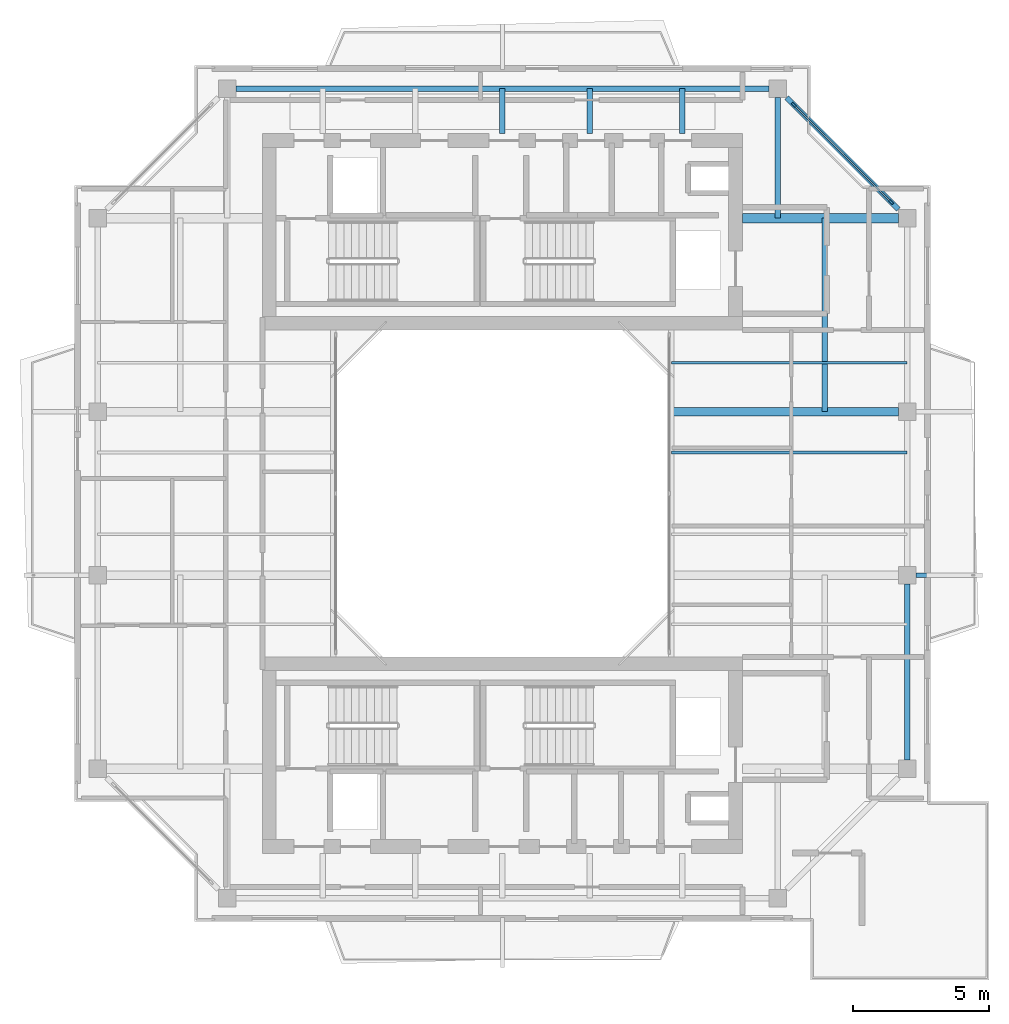
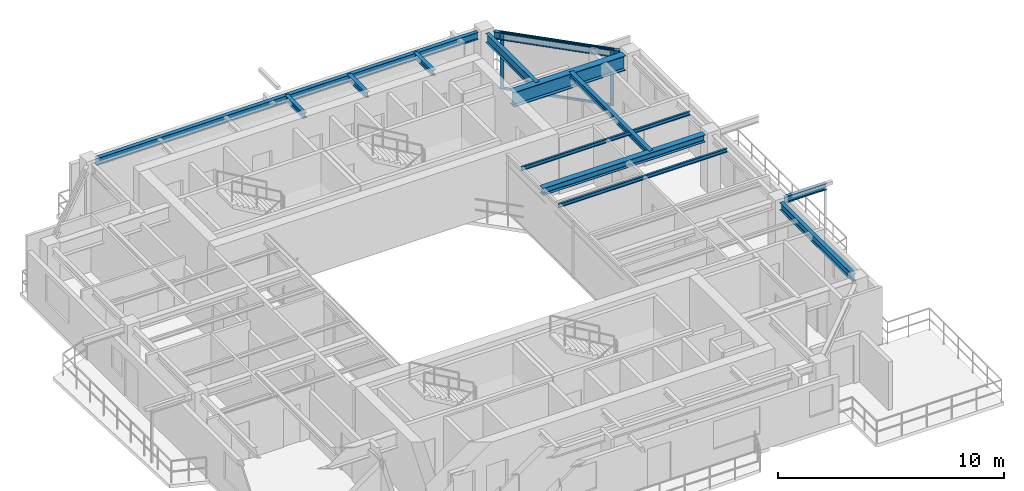
# One storey, part 6 of 14: 13 beams, 4 members, 1 element without a shape of its own.
"""IFC4 building model written with IfcOpenShell, lengths in metres."""

from ifc_helpers import new_model, si_unit, direction, frame, origin, origin_2d, place, context, subcontext, project, spatial, rectangle, i_section, extrude, source, transform, mapped, material, layer, layer_set, material_profile, profile_set, type_object, element, aggregate, save


model = new_model("IFC4")

# Units and contexts
model_context = context("Model", 3, precision=1e-05, world=origin(), true_north=direction((0.0, 1.0)))
body_context = subcontext(model_context, "Body", "Model", "MODEL_VIEW")
ifc_project = project(units=[si_unit("LENGTHUNIT", "METRE"), si_unit("AREAUNIT", "SQUARE_METRE"), si_unit("VOLUMEUNIT", "CUBIC_METRE"), si_unit("PLANEANGLEUNIT", "RADIAN"), si_unit("MASSUNIT", "GRAM", prefix="KILO"), si_unit("THERMODYNAMICTEMPERATUREUNIT", "KELVIN"), si_unit("POWERUNIT", "WATT")], contexts=[model_context])

# Site, building, storey
site_placement = place(None, origin())
site = spatial("IfcSite", under=ifc_project, at=site_placement, CompositionType="ELEMENT")
building_placement = place(site_placement, origin())
building = spatial("IfcBuilding", under=site, at=building_placement, Name="Qiaomeng Ring Towers", CompositionType="ELEMENT")
storey_placement = place(building_placement, frame((0.0, 0.0, 253.5)))
storey = spatial("IfcBuildingStorey", under=building, at=storey_placement, Name="L74", CompositionType="ELEMENT", Elevation=253.5)

# Beams
ifc_material_1 = material(Name="Steel Q355B", Category="steel")
ifc_material_profile_1 = material_profile(ifc_material_1, i_section(OverallWidth=0.198974609375, OverallDepth=0.39599609375, WebThickness=0.007080078125, FlangeThickness=0.010986328125, FilletRadius=0.01611328125, at=origin_2d()), Name="HN 396x199x7x11")
ifc_profile_set_1 = profile_set([ifc_material_profile_1], Name="Steel Q355B")
beam_type_1 = type_object("IfcBeamType", Name="STR-BM-HN396", PredefinedType="SPANDREL", material=ifc_profile_set_1)
shared_shape_1 = source(origin(), body_context, "Body", "SweptSolid", [
    extrude(i_section(OverallWidth=0.198974609375, OverallDepth=0.39599609375, WebThickness=0.007080078125, FlangeThickness=0.010986328125, FilletRadius=0.01611328125, at=origin_2d()), origin(), (0.0, 0.0, 1.0), 19.5517578125),
])
beam_1_placement = place(storey_placement, frame((28.77587890625, 37.85009765625, 2.8720703125), z_axis=(-1.0, 0.0, 0.0), x_axis=(0.0, -1.0, 0.0)))
element("IfcBeam", 1, at=beam_1_placement, inside=storey, type_object=beam_type_1, Name="L74 beam STR-SP-L74-T1-N2-N1", PredefinedType="SPANDREL", context=body_context, shape_type="MappedRepresentation", body=[
    mapped(shared_shape_1, transform((0.0, 0.0, 0.0), x_axis=(1.0, 0.0, 0.0), y_axis=(0.0, 1.0, 0.0), z_axis=(0.0, 0.0, 1.0), scale=1.0)),
])
shared_shape_2 = source(origin(), body_context, "Body", "SweptSolid", [
    extrude(i_section(OverallWidth=0.198974609375, OverallDepth=0.39599609375, WebThickness=0.007080078125, FlangeThickness=0.010986328125, FilletRadius=0.01611328125, at=origin_2d()), origin(), (0.0, 0.0, 1.0), 5.800048828125),
])
beam_2_placement = place(storey_placement, frame((33.525634765625, 33.42431640625, 2.8720703125), z_axis=(-0.707106781187, 0.707106781187, 0.0), x_axis=(-0.707106781187, -0.707106781187, 0.0)))
element("IfcBeam", 2, at=beam_2_placement, inside=storey, type_object=beam_type_1, Name="L74 beam STR-SP-L74-T1-E4-N2", PredefinedType="SPANDREL", context=body_context, shape_type="MappedRepresentation", body=[
    mapped(shared_shape_2, transform((0.0, 0.0, 0.0), x_axis=(1.0, 0.0, 0.0), y_axis=(0.0, 1.0, 0.0), z_axis=(0.0, 0.0, 1.0), scale=1.0)),
])
shared_shape_3 = source(origin(), body_context, "Body", "SweptSolid", [
    extrude(i_section(OverallWidth=0.198974609375, OverallDepth=0.39599609375, WebThickness=0.007080078125, FlangeThickness=0.010986328125, FilletRadius=0.01611328125, at=origin_2d()), origin(), (0.0, 0.0, 1.0), 6.451904296875),
])
beam_3_placement = place(storey_placement, frame((33.85009765625, 13.22412109375, 2.8720703125), z_axis=(0.0, 1.0, 0.0), x_axis=(-1.0, 0.0, 0.0)))
element("IfcBeam", 3, at=beam_3_placement, inside=storey, type_object=beam_type_1, Name="L74 beam STR-SP-L74-T1-E1-E2", PredefinedType="SPANDREL", context=body_context, shape_type="MappedRepresentation", body=[
    mapped(shared_shape_3, transform((0.0, 0.0, 0.0), x_axis=(1.0, 0.0, 0.0), y_axis=(0.0, 1.0, 0.0), z_axis=(0.0, 0.0, 1.0), scale=1.0)),
])
ifc_material_2 = material(Name="Steel Q390GJC", Category="steel")
ifc_material_profile_2 = material_profile(ifc_material_2, i_section(OverallWidth=0.35009765625, OverallDepth=0.800048828125, WebThickness=0.01611328125, FlangeThickness=0.028076171875, at=origin_2d()), Name="WH 800x350x16x28")
ifc_profile_set_2 = profile_set([ifc_material_profile_2], Name="Steel Q390GJC")
beam_type_2 = type_object("IfcBeamType", Name="STR-BM-WH800", PredefinedType="BEAM", material=ifc_profile_set_2)
shared_shape_4 = source(origin(), body_context, "Body", "SweptSolid", [
    extrude(i_section(OverallWidth=0.35009765625, OverallDepth=0.800048828125, WebThickness=0.01611328125, FlangeThickness=0.028076171875, at=origin_2d()), origin(), (0.0, 0.0, 1.0), 5.725830078125),
])
beam_4_placement = place(storey_placement, frame((27.800048828125, 33.10009765625, 2.669921875), z_axis=(1.0, 0.0, 0.0), x_axis=(0.0, 1.0, 0.0)))
element("IfcBeam", 4, at=beam_4_placement, inside=storey, type_object=beam_type_2, Name="L74 beam STR-BM-L74-T1-RAD-E4", PredefinedType="BEAM", context=body_context, shape_type="MappedRepresentation", body=[
    mapped(shared_shape_4, transform((0.0, 0.0, 0.0), x_axis=(1.0, 0.0, 0.0), y_axis=(0.0, 1.0, 0.0), z_axis=(0.0, 0.0, 1.0), scale=1.0)),
])
ifc_material_profile_3 = material_profile(ifc_material_1, i_section(OverallWidth=0.198974609375, OverallDepth=0.49609375, WebThickness=0.009033203125, FlangeThickness=0.013916015625, FilletRadius=0.01806640625, at=origin_2d()), Name="HN 496x199x9x14")
ifc_profile_set_3 = profile_set([ifc_material_profile_3], Name="Steel Q355B")
beam_type_3 = type_object("IfcBeamType", Name="STR-BM-HN496", PredefinedType="BEAM", material=ifc_profile_set_3)
shared_shape_5 = source(origin(), body_context, "Body", "SweptSolid", [
    extrude(i_section(OverallWidth=0.198974609375, OverallDepth=0.49609375, WebThickness=0.009033203125, FlangeThickness=0.013916015625, FilletRadius=0.01806640625, at=origin_2d()), origin(), (0.0, 0.0, 1.0), 4.42578125),
])
beam_5_placement = place(storey_placement, frame((29.10009765625, 37.52587890625, 2.822021484375), z_axis=(0.0, -1.0, 0.0), x_axis=(1.0, 0.0, 0.0)))
element("IfcBeam", 5, at=beam_5_placement, inside=storey, type_object=beam_type_3, Name="L74 beam STR-BM-L74-T1-RAD-N2", PredefinedType="BEAM", context=body_context, shape_type="MappedRepresentation", body=[
    mapped(shared_shape_5, transform((0.0, 0.0, 0.0), x_axis=(1.0, 0.0, 0.0), y_axis=(0.0, 1.0, 0.0), z_axis=(0.0, 0.0, 1.0), scale=1.0)),
])
ifc_material_profile_4 = material_profile(ifc_material_1, i_section(OverallWidth=0.300048828125, OverallDepth=0.389892578125, WebThickness=0.010009765625, FlangeThickness=0.01611328125, FilletRadius=0.02197265625, at=origin_2d()), Name="HM 390x300x10x16")
ifc_profile_set_4 = profile_set([ifc_material_profile_4], Name="Steel Q355B")
beam_type_4 = type_object("IfcBeamType", Name="STR-BM-HM390", PredefinedType="BEAM", material=ifc_profile_set_4)
shared_shape_6 = source(origin(), body_context, "Body", "SweptSolid", [
    extrude(i_section(OverallWidth=0.300048828125, OverallDepth=0.389892578125, WebThickness=0.010009765625, FlangeThickness=0.01611328125, FilletRadius=0.02197265625, at=origin_2d()), origin(), (0.0, 0.0, 1.0), 8.325927734375),
])
beam_6_placement = place(storey_placement, frame((25.199951171875, 26.0, 2.875), z_axis=(1.0, 0.0, 0.0), x_axis=(0.0, 1.0, 0.0)))
element("IfcBeam", 6, at=beam_6_placement, inside=storey, type_object=beam_type_4, Name="L74 beam STR-BM-L74-T1-RAD-E3", PredefinedType="BEAM", context=body_context, shape_type="MappedRepresentation", body=[
    mapped(shared_shape_6, transform((0.0, 0.0, 0.0), x_axis=(1.0, 0.0, 0.0), y_axis=(0.0, 1.0, 0.0), z_axis=(0.0, 0.0, 1.0), scale=1.0)),
])
ifc_material_profile_5 = material_profile(ifc_material_1, i_section(OverallWidth=0.175048828125, OverallDepth=0.35009765625, WebThickness=0.007080078125, FlangeThickness=0.010986328125, FilletRadius=0.013916015625, at=origin_2d()), Name="HN 350x175x7x11")
ifc_profile_set_5 = profile_set([ifc_material_profile_5], Name="Steel Q355B")
beam_type_5 = type_object("IfcBeamType", Name="STR-BM-HN350", PredefinedType="JOIST", material=ifc_profile_set_5)
shared_shape_7 = source(origin(), body_context, "Body", "SweptSolid", [
    extrude(i_section(OverallWidth=0.175048828125, OverallDepth=0.35009765625, WebThickness=0.007080078125, FlangeThickness=0.010986328125, FilletRadius=0.013916015625, at=origin_2d()), origin(), (0.0, 0.0, 1.0), 2.14599609375),
])
beam_7_placement = place(storey_placement, frame((34.174072265625, 20.0, 2.89501953125), z_axis=(1.0, 0.0, 0.0), x_axis=(0.0, 1.0, 0.0)))
element("IfcBeam", 7, at=beam_7_placement, inside=storey, type_object=beam_type_5, Name="L74 beam STR-BALBM-L74-E2", PredefinedType="JOIST", context=body_context, shape_type="MappedRepresentation", body=[
    mapped(shared_shape_7, transform((0.0, 0.0, 0.0), x_axis=(1.0, 0.0, 0.0), y_axis=(0.0, 1.0, 0.0), z_axis=(0.0, 0.0, 1.0), scale=1.0)),
])
ifc_material_profile_6 = material_profile(ifc_material_1, i_section(OverallWidth=0.199951171875, OverallDepth=0.2939453125, WebThickness=0.008056640625, FlangeThickness=0.011962890625, FilletRadius=0.01806640625, at=origin_2d()), Name="HM 294x200x8x12")
ifc_profile_set_6 = profile_set([ifc_material_profile_6], Name="Steel Q355B")
beam_type_6 = type_object("IfcBeamType", Name="STR-BM-HM294", PredefinedType="JOIST", material=ifc_profile_set_6)
shared_shape_8 = source(origin(), body_context, "Body", "SweptSolid", [
    extrude(i_section(OverallWidth=0.199951171875, OverallDepth=0.2939453125, WebThickness=0.008056640625, FlangeThickness=0.011962890625, FilletRadius=0.01806640625, at=origin_2d()), origin(), (0.0, 0.0, 1.0), 1.650146484375),
])
for number, where, z_axis, x_axis, name in (
    (8, (19.0, 36.199951171875, 2.923095703125), (0.0, 1.0, 0.0), (-1.0, 0.0, 0.0), "L74 beam STR-JST-L74-T1N-3"),
    (9, (22.199951171875, 36.199951171875, 2.923095703125), (0.0, 1.0, 0.0), (-1.0, 0.0, 0.0), "L74 beam STR-JST-L74-T1N-4"),
    (10, (25.60009765625, 36.199951171875, 2.923095703125), (0.0, 1.0, 0.0), (-1.0, 0.0, 0.0), "L74 beam STR-JST-L74-T1N-5"),
):
    element("IfcBeam", number, at=place(storey_placement, frame(where, z_axis=z_axis, x_axis=x_axis)), inside=storey, type_object=beam_type_6, Name=name, PredefinedType="JOIST", context=body_context, shape_type="MappedRepresentation", body=[
        mapped(shared_shape_8, transform((0.0, 0.0, 0.0), x_axis=(1.0, 0.0, 0.0), y_axis=(0.0, 1.0, 0.0), z_axis=(0.0, 0.0, 1.0), scale=1.0)),
    ])
ifc_material_profile_7 = material_profile(ifc_material_1, i_section(OverallWidth=0.10009765625, OverallDepth=0.199951171875, WebThickness=0.005615234375, FlangeThickness=0.008056640625, FilletRadius=0.010986328125, at=origin_2d()), Name="HN 200x100x5.5x8")
ifc_profile_set_7 = profile_set([ifc_material_profile_7], Name="Steel Q355B")
beam_type_7 = type_object("IfcBeamType", Name="STR-BM-HN200", PredefinedType="JOIST", material=ifc_profile_set_7)
shared_shape_9 = source(origin(), body_context, "Body", "SweptSolid", [
    extrude(i_section(OverallWidth=0.10009765625, OverallDepth=0.199951171875, WebThickness=0.005615234375, FlangeThickness=0.008056640625, FilletRadius=0.010986328125, at=origin_2d()), origin(), (0.0, 0.0, 1.0), 8.650146484375),
])
for number, where, z_axis, x_axis, name in (
    (11, (25.199951171875, 24.5, 2.969970703125), (1.0, 0.0, 0.0), (0.0, 1.0, 0.0), "L74 beam STR-JST-L74-T1E-3"),
    (12, (25.199951171875, 27.800048828125, 2.969970703125), (1.0, 0.0, 0.0), (0.0, 1.0, 0.0), "L74 beam STR-JST-L74-T1E-4"),
):
    element("IfcBeam", number, at=place(storey_placement, frame(where, z_axis=z_axis, x_axis=x_axis)), inside=storey, type_object=beam_type_7, Name=name, PredefinedType="JOIST", context=body_context, shape_type="MappedRepresentation", body=[
        mapped(shared_shape_9, transform((0.0, 0.0, 0.0), x_axis=(1.0, 0.0, 0.0), y_axis=(0.0, 1.0, 0.0), z_axis=(0.0, 0.0, 1.0), scale=1.0)),
    ])
shared_shape_10 = source(origin(), body_context, "Body", "SweptSolid", [
    extrude(i_section(OverallWidth=0.199951171875, OverallDepth=0.2939453125, WebThickness=0.008056640625, FlangeThickness=0.011962890625, FilletRadius=0.01806640625, at=origin_2d()), origin(), (0.0, 0.0, 1.0), 7.10009765625),
])
beam_8_placement = place(storey_placement, frame((30.824951171875, 26.0, 2.923095703125), z_axis=(0.0, 1.0, 0.0), x_axis=(-1.0, 0.0, 0.0)))
element("IfcBeam", 13, at=beam_8_placement, inside=storey, type_object=beam_type_6, Name="L74 beam STR-JST-L74-T1C-EN", PredefinedType="JOIST", context=body_context, shape_type="MappedRepresentation", body=[
    mapped(shared_shape_10, transform((0.0, 0.0, 0.0), x_axis=(1.0, 0.0, 0.0), y_axis=(0.0, 1.0, 0.0), z_axis=(0.0, 0.0, 1.0), scale=1.0)),
])

# Curtain wall, members
ifc_material_3 = material(Name="Fluorocarbon dark-grey aluminium", Category="aluminium")
ifc_layer = layer(ifc_material_3, 0.14990234375, Name="Fluorocarbon dark-grey aluminium")
ifc_layer_set = layer_set([ifc_layer], Name="Fluorocarbon dark-grey aluminium")
curtain_wall_type = type_object("IfcCurtainWallType", Name="ARC-CW-3", PredefinedType="NOTDEFINED", material=ifc_layer_set)
curtain_wall_placement = place(storey_placement, origin())
curtain_wall = element("IfcCurtainWall", 14, at=curtain_wall_placement, inside=storey, type_object=curtain_wall_type, Name="L74 Curtain Wall CW3", PredefinedType="NOTDEFINED")
ifc_material_profile_8 = material_profile(ifc_material_3, rectangle(XDim=0.070068359375, YDim=0.179931640625, at=origin_2d()), Name="ALU MULL 70x180")
ifc_profile_set_8 = profile_set([ifc_material_profile_8], Name="Fluorocarbon dark-grey aluminium")
member_type_1 = type_object("IfcMemberType", Name="ARC-CWM-160", PredefinedType="MULLION", material=ifc_profile_set_8)
shared_shape_11 = source(origin(), body_context, "Body", "SweptSolid", [
    extrude(rectangle(XDim=0.070068359375, YDim=0.179931640625, at=origin_2d()), origin(), (0.0, 0.0, 1.0), 3.070068359375),
])
member_1_placement = place(storey_placement, frame((33.26025390625, 33.689697265625, 0.0), z_axis=(0.0, 0.0, 1.0), x_axis=(-0.707106781187, -0.707106781187, 0.0)))
member_1 = element("IfcMember", 15, at=member_1_placement, type_object=member_type_1, Name="CW3 mullion 1", PredefinedType="MULLION", context=body_context, shape_type="MappedRepresentation", body=[
    mapped(shared_shape_11, transform((0.0, 0.0, 0.0), x_axis=(1.0, 0.0, 0.0), y_axis=(0.0, 1.0, 0.0), z_axis=(0.0, 0.0, 1.0), scale=1.0)),
])
member_2_placement = place(storey_placement, frame((29.689697265625, 37.26025390625, 0.0), z_axis=(0.0, 0.0, 1.0), x_axis=(-0.707106781187, -0.707106781187, 0.0)))
member_2 = element("IfcMember", 16, at=member_2_placement, type_object=member_type_1, Name="CW3 mullion 2", PredefinedType="MULLION", context=body_context, shape_type="MappedRepresentation", body=[
    mapped(shared_shape_11, transform((0.0, 0.0, 0.0), x_axis=(1.0, 0.0, 0.0), y_axis=(0.0, 1.0, 0.0), z_axis=(0.0, 0.0, 1.0), scale=1.0)),
])
ifc_material_profile_9 = material_profile(ifc_material_3, rectangle(XDim=0.06494140625, YDim=0.1298828125, at=origin_2d()), Name="ALU TRAN 65x130")
ifc_profile_set_9 = profile_set([ifc_material_profile_9], Name="Fluorocarbon dark-grey aluminium")
member_type_2 = type_object("IfcMemberType", Name="ARC-CWT-120", PredefinedType="USERDEFINED", material=ifc_profile_set_9)
shared_shape_12 = source(origin(), body_context, "Body", "SweptSolid", [
    extrude(rectangle(XDim=0.06494140625, YDim=0.1298828125, at=origin_2d()), origin(), (0.0, 0.0, 1.0), 4.9794921875),
])
member_3_placement = place(storey_placement, frame((33.235595703125, 33.714599609375, 0.032470703125), z_axis=(-0.707106781187, 0.707106781187, 0.0), x_axis=(-0.707106781187, -0.707106781187, 0.0)))
member_3 = element("IfcMember", 17, at=member_3_placement, type_object=member_type_2, Name="CW3 transom 1.1", ObjectType="TRANSOM", PredefinedType="USERDEFINED", context=body_context, shape_type="MappedRepresentation", body=[
    mapped(shared_shape_12, transform((0.0, 0.0, 0.0), x_axis=(1.0, 0.0, 0.0), y_axis=(0.0, 1.0, 0.0), z_axis=(0.0, 0.0, 1.0), scale=1.0)),
])
member_4_placement = place(storey_placement, frame((33.235595703125, 33.714599609375, 3.03759765625), z_axis=(-0.707106781187, 0.707106781187, 0.0), x_axis=(-0.707106781187, -0.707106781187, 0.0)))
member_4 = element("IfcMember", 18, at=member_4_placement, type_object=member_type_2, Name="CW3 transom 1.2", ObjectType="TRANSOM", PredefinedType="USERDEFINED", context=body_context, shape_type="MappedRepresentation", body=[
    mapped(shared_shape_12, transform((0.0, 0.0, 0.0), x_axis=(1.0, 0.0, 0.0), y_axis=(0.0, 1.0, 0.0), z_axis=(0.0, 0.0, 1.0), scale=1.0)),
])
aggregate(curtain_wall, [member_1, member_2, member_3, member_4])

save(model, "model.ifc")
